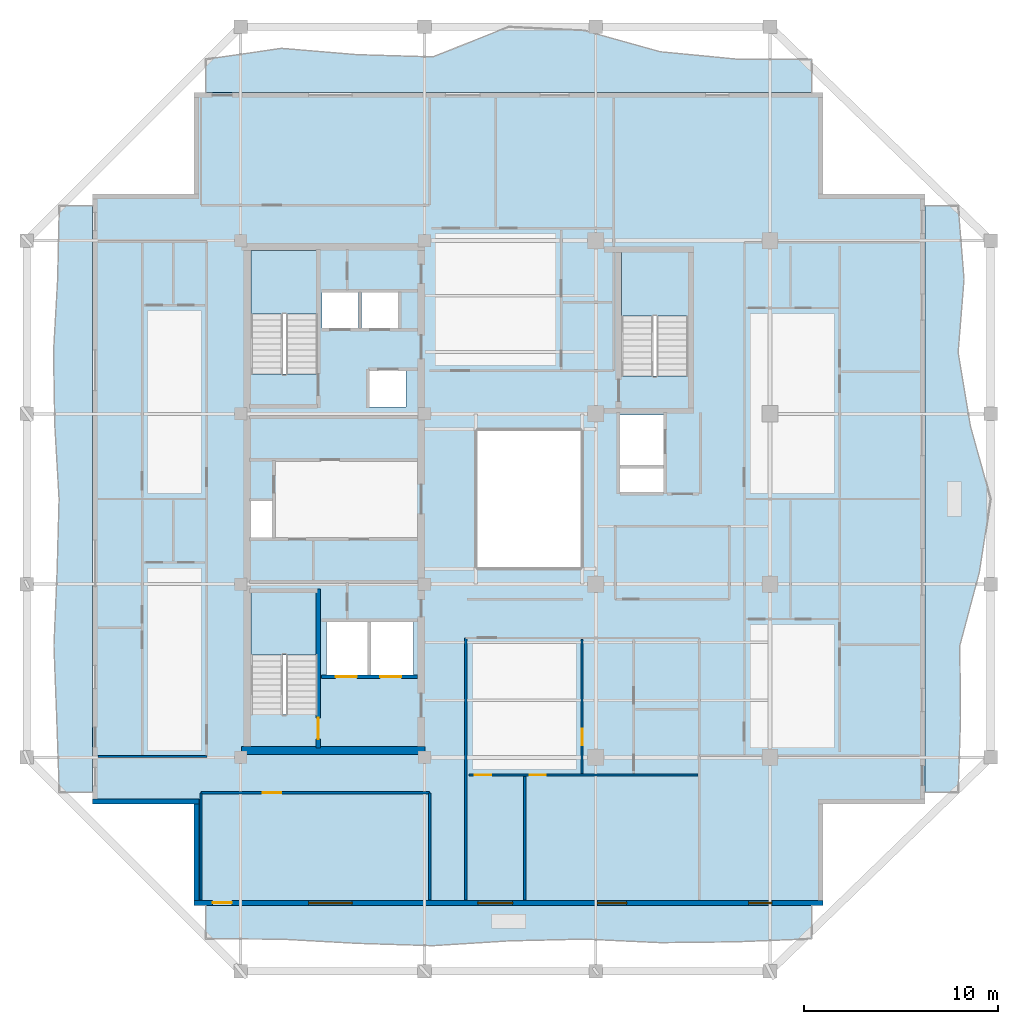
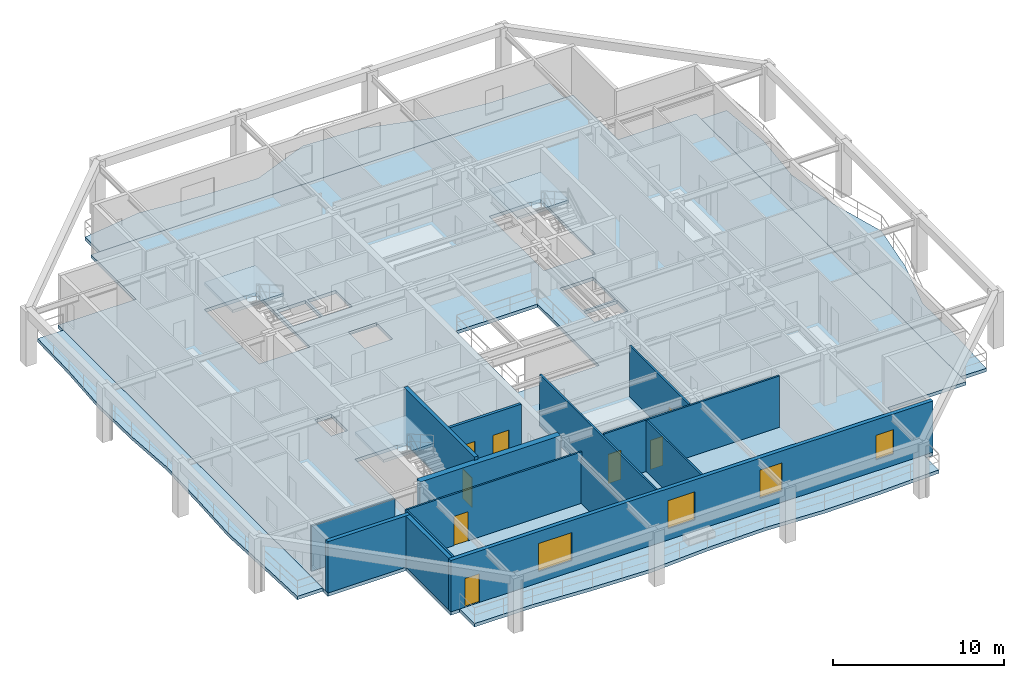
# One storey, part 2 of 11: 14 walls, 8 doors, 8 slabs, 4 windows, 12 openings, 3 elements without a shape of their own.
"""IFC4 building model written with IfcOpenShell, lengths in metres."""

from ifc_helpers import new_model, si_unit, direction, frame, frame_2d, origin, place, context, subcontext, project, spatial, polyline, rectangle, outline, extrude, material, layer, layer_set, type_object, element, fill, aggregate, save


model = new_model("IFC4")

# Units and contexts
model_context = context("Model", 3, precision=1e-05, world=origin(), true_north=direction((0.0, 1.0)))
body_context = subcontext(model_context, "Body", "Model", "MODEL_VIEW")
ifc_project = project(units=[si_unit("LENGTHUNIT", "METRE"), si_unit("AREAUNIT", "SQUARE_METRE"), si_unit("VOLUMEUNIT", "CUBIC_METRE"), si_unit("PLANEANGLEUNIT", "RADIAN"), si_unit("MASSUNIT", "GRAM", prefix="KILO")], contexts=[model_context])

# Site, building, storey
site_placement = place(None, origin())
site = spatial("IfcSite", under=ifc_project, at=site_placement, CompositionType="ELEMENT")
building_placement = place(site_placement, origin())
building = spatial("IfcBuilding", under=site, at=building_placement, Name="Kundavana Baori Tower", CompositionType="ELEMENT")
storey_placement = place(building_placement, frame((0.0, 0.0, 218.0)))
storey = spatial("IfcBuildingStorey", under=building, at=storey_placement, Name="L53", CompositionType="ELEMENT", Elevation=218.0)

# Slab
ifc_material_1 = material(Name="Concrete C40/50", Category="concrete")
ifc_layer_1 = layer(ifc_material_1, 0.239990234375, Name="SLB-FLR-240")
ifc_layer_set_1 = layer_set([ifc_layer_1], Name="Concrete C40/50")
slab_type_1 = type_object("IfcSlabType", Name="SLB-FLR-240", PredefinedType="FLOOR", material=ifc_layer_set_1)
slab_1_placement = place(storey_placement, frame((0.0, 0.0, -0.239990234375)))
element("IfcSlab", 1, at=slab_1_placement, inside=storey, type_object=slab_type_1, Name="L53 Structural Floor Slab", PredefinedType="FLOOR", context=body_context, shape_type="SweptSolid", body=[
    extrude(outline(polyline([(13.050048828125, 7.60009765625), (45.550048828125, 7.60009765625), (45.550048828125, 12.85009765625), (50.800048828125, 12.85009765625), (50.800048828125, 44.35009765625), (45.550048828125, 44.35009765625), (45.550048828125, 49.60009765625), (13.050048828125, 49.60009765625), (13.050048828125, 44.35009765625), (7.800048828125, 44.35009765625), (7.800048828125, 12.85009765625), (13.050048828125, 12.85009765625), (13.050048828125, 7.60009765625)]), holes=[polyline([(19.43994140625, 17.4619140625), (19.43994140625, 23.85009765625), (15.97998046875, 23.85009765625), (15.97998046875, 17.4619140625), (19.43994140625, 17.4619140625)]), polyline([(19.43994140625, 35.06201171875), (19.43994140625, 41.449951171875), (15.97998046875, 41.449951171875), (15.97998046875, 35.06201171875), (19.43994140625, 35.06201171875)]), polyline([(38.580078125, 34.9619140625), (38.580078125, 41.35009765625), (35.1201171875, 41.35009765625), (35.1201171875, 34.9619140625), (38.580078125, 34.9619140625)]), polyline([(19.64990234375, 37.39990234375), (21.550048828125, 37.39990234375), (21.550048828125, 39.300048828125), (19.64990234375, 39.300048828125), (19.64990234375, 37.39990234375)]), polyline([(21.699951171875, 37.39990234375), (23.60009765625, 37.39990234375), (23.60009765625, 39.300048828125), (21.699951171875, 39.300048828125), (21.699951171875, 37.39990234375)]), polyline([(22.10009765625, 33.35009765625), (24.0, 33.35009765625), (24.0, 35.25), (22.10009765625, 35.25), (22.10009765625, 33.35009765625)]), polyline([(19.8798828125, 19.5), (22.02001953125, 19.5), (22.02001953125, 22.25), (19.8798828125, 22.25), (19.8798828125, 19.5)]), polyline([(22.179931640625, 19.5), (24.3798828125, 19.5), (24.3798828125, 22.25), (22.179931640625, 22.25), (22.179931640625, 19.5)]), polyline([(35.050048828125, 30.35009765625), (37.300048828125, 30.35009765625), (37.300048828125, 32.949951171875), (35.050048828125, 32.949951171875), (35.050048828125, 30.35009765625)]), polyline([(15.949951171875, 26.60009765625), (17.080078125, 26.60009765625), (17.080078125, 28.5), (15.949951171875, 28.5), (15.949951171875, 26.60009765625)]), polyline([(35.050048828125, 28.949951171875), (37.300048828125, 28.949951171875), (37.300048828125, 30.199951171875), (35.050048828125, 30.199951171875), (35.050048828125, 28.949951171875)]), polyline([(27.60009765625, 25.0), (33.10009765625, 25.0), (33.10009765625, 32.199951171875), (27.60009765625, 32.199951171875), (27.60009765625, 25.0)])]), origin(), (0.0, 0.0, 1.0), 0.239990234375),
])

# Stair, slab
ifc_material_2 = material(Name="Concrete C40/50", Category="concrete")
stair_type = type_object("IfcStairType", Name="STR-DOG-1650", PredefinedType="HALF_TURN_STAIR", material=ifc_material_2)
stair_1_placement = place(storey_placement, origin())
stair_1 = element("IfcStair", 2, at=stair_1_placement, inside=storey, type_object=stair_type, Name="L53 Protected Exit Stair ST1", PredefinedType="HALF_TURN_STAIR")
ifc_material_3 = material(Name="Concrete C40/50", Category="concrete")
ifc_layer_2 = layer(ifc_material_3, 0.199951171875, Name="SLB-LND-200")
ifc_layer_set_2 = layer_set([ifc_layer_2], Name="Concrete C40/50")
slab_type_2 = type_object("IfcSlabType", Name="SLB-LND-200", PredefinedType="LANDING", material=ifc_layer_set_2)
slab_2_placement = place(storey_placement, frame((0.0, 0.0, 1.75)))
slab_2 = element("IfcSlab", 3, at=slab_2_placement, type_object=slab_type_2, Name="ST1 landing 1", PredefinedType="LANDING", context=body_context, shape_type="SweptSolid", body=[
    extrude(outline(polyline([(19.43994140625, 20.550048828125), (19.43994140625, 23.85009765625), (15.97998046875, 23.85009765625), (15.97998046875, 20.550048828125), (19.43994140625, 20.550048828125)])), origin(), (0.0, 0.0, 1.0), 0.199951171875),
])
aggregate(stair_1, [slab_2])

stair_2_placement = place(storey_placement, origin())
stair_2 = element("IfcStair", 4, at=stair_2_placement, inside=storey, type_object=stair_type, Name="L53 Protected Exit Stair ST2", PredefinedType="HALF_TURN_STAIR")
slab_3_placement = place(storey_placement, frame((0.0, 0.0, 1.75)))
slab_3 = element("IfcSlab", 5, at=slab_3_placement, type_object=slab_type_2, Name="ST2 landing 1", PredefinedType="LANDING", context=body_context, shape_type="SweptSolid", body=[
    extrude(outline(polyline([(19.43994140625, 38.14990234375), (19.43994140625, 41.449951171875), (15.97998046875, 41.449951171875), (15.97998046875, 38.14990234375), (19.43994140625, 38.14990234375)])), origin(), (0.0, 0.0, 1.0), 0.199951171875),
])
aggregate(stair_2, [slab_3])

stair_3_placement = place(storey_placement, origin())
stair_3 = element("IfcStair", 6, at=stair_3_placement, inside=storey, type_object=stair_type, Name="L53 Protected Exit Stair ST3", PredefinedType="HALF_TURN_STAIR")
slab_4_placement = place(storey_placement, frame((0.0, 0.0, 1.75)))
slab_4 = element("IfcSlab", 7, at=slab_4_placement, type_object=slab_type_2, Name="ST3 landing 1", PredefinedType="LANDING", context=body_context, shape_type="SweptSolid", body=[
    extrude(outline(polyline([(38.580078125, 38.050048828125), (38.580078125, 41.35009765625), (35.1201171875, 41.35009765625), (35.1201171875, 38.050048828125), (38.580078125, 38.050048828125)])), origin(), (0.0, 0.0, 1.0), 0.199951171875),
])
aggregate(stair_3, [slab_4])

# Slabs
ifc_material_4 = material(Name="Concrete C40/50", Category="concrete")
ifc_layer_3 = layer(ifc_material_4, 0.239990234375, Name="SLB-LOG-240")
ifc_layer_set_3 = layer_set([ifc_layer_3], Name="Concrete C40/50")
slab_type_3 = type_object("IfcSlabType", Name="SLB-LOG-240", PredefinedType="FLOOR", material=ifc_layer_set_3)
slab_5_placement = place(storey_placement, frame((0.0, 0.0, -0.239990234375)))
element("IfcSlab", 8, at=slab_5_placement, inside=storey, type_object=slab_type_3, Name="L53 Planted Loggia Balcony Slab S", PredefinedType="FLOOR", context=body_context, shape_type="SweptSolid", body=[
    extrude(outline(polyline([(13.64990234375, 7.60009765625), (44.949951171875, 7.60009765625), (44.949951171875, 5.8798828125), (41.0380859375, 5.721923828125), (37.125, 5.679931640625), (33.212890625, 5.863037109375), (29.300048828125, 5.77001953125), (25.387939453125, 5.52294921875), (21.47509765625, 5.64306640625), (17.56201171875, 5.860107421875), (13.64990234375, 5.8798828125), (13.64990234375, 7.60009765625)])), origin(), (0.0, 0.0, 1.0), 0.239990234375),
])
slab_6_placement = place(storey_placement, frame((0.0, 0.0, -0.239990234375)))
element("IfcSlab", 9, at=slab_6_placement, inside=storey, type_object=slab_type_3, Name="L53 Planted Loggia Balcony Slab E", PredefinedType="FLOOR", context=body_context, shape_type="SweptSolid", body=[
    extrude(outline(polyline([(50.800048828125, 13.449951171875), (50.800048828125, 43.75), (52.52001953125, 43.75), (52.824951171875, 39.9619140625), (52.52099609375, 36.175048828125), (53.152099609375, 32.387939453125), (54.199951171875, 28.60009765625), (53.616943359375, 24.81201171875), (52.60595703125, 21.02490234375), (52.64306640625, 17.238037109375), (52.52001953125, 13.449951171875), (50.800048828125, 13.449951171875)])), origin(), (0.0, 0.0, 1.0), 0.239990234375),
])
slab_7_placement = place(storey_placement, frame((0.0, 0.0, -0.239990234375)))
element("IfcSlab", 10, at=slab_7_placement, inside=storey, type_object=slab_type_3, Name="L53 Planted Loggia Balcony Slab N", PredefinedType="FLOOR", context=body_context, shape_type="SweptSolid", body=[
    extrude(outline(polyline([(44.949951171875, 49.60009765625), (13.64990234375, 49.60009765625), (13.64990234375, 51.320068359375), (17.56201171875, 51.884033203125), (21.47509765625, 51.55810546875), (25.387939453125, 51.443115234375), (29.300048828125, 53.0), (33.212890625, 52.802978515625), (37.125, 51.7080078125), (41.0380859375, 51.3330078125), (44.949951171875, 51.320068359375), (44.949951171875, 49.60009765625)])), origin(), (0.0, 0.0, 1.0), 0.239990234375),
])
slab_8_placement = place(storey_placement, frame((0.0, 0.0, -0.239990234375)))
element("IfcSlab", 11, at=slab_8_placement, inside=storey, type_object=slab_type_3, Name="L53 Planted Loggia Balcony Slab W", PredefinedType="FLOOR", context=body_context, shape_type="SweptSolid", body=[
    extrude(outline(polyline([(7.800048828125, 43.75), (7.800048828125, 13.449951171875), (6.080078125, 13.449951171875), (5.949951171875, 17.238037109375), (5.804931640625, 21.02490234375), (5.966064453125, 24.81201171875), (6.070068359375, 28.60009765625), (5.85009765625, 32.387939453125), (5.782958984375, 36.175048828125), (5.9951171875, 39.9619140625), (6.080078125, 43.75), (7.800048828125, 43.75)])), origin(), (0.0, 0.0, 1.0), 0.239990234375),
])

# Wall
ifc_material_5 = material(Name="Concrete C50/60", Category="concrete")
ifc_layer_4 = layer(ifc_material_5, 0.39990234375, Name="WL-CORE-400")
ifc_layer_set_4 = layer_set([ifc_layer_4], Name="Concrete C50/60")
wall_type_1 = type_object("IfcWallType", Name="WL-CORE-400", PredefinedType="SHEAR", material=ifc_layer_set_4)
wall_1_placement = place(storey_placement, frame((15.5, 15.610107421875, 0.0), z_axis=(0.0, 0.0, 1.0), x_axis=(1.0, 0.0, 0.0)))
element("IfcWall", 12, at=wall_1_placement, inside=storey, type_object=wall_type_1, Name="L53 Offset Core South Shear Wall", PredefinedType="SHEAR", context=body_context, shape_type="SweptSolid", body=[
    extrude(rectangle(XDim=9.47998046875, YDim=0.39990234375, at=frame_2d((4.739990234375, 0.0))), origin(), (0.0, 0.0, 1.0), 3.659912109375),
])

# Wall, opening, door
wall_2_placement = place(storey_placement, frame((19.4599609375, 15.739990234375, 0.0), z_axis=(0.0, 0.0, 1.0), x_axis=(0.0, 1.0, 0.0)))
wall_2 = element("IfcWall", 13, at=wall_2_placement, inside=storey, type_object=wall_type_1, Name="WL-L53-ST1-E", PredefinedType="SHEAR", context=body_context, shape_type="SweptSolid", body=[
    extrude(rectangle(XDim=8.199951171875, YDim=0.239990234375, at=frame_2d((4.10009765625, 0.0))), origin(), (0.0, 0.0, 1.0), 3.89990234375),
])
opening_1_placement = place(wall_2_placement, frame((0.449951171875, 0.0, 0.0)))
opening_1 = element("IfcOpeningElement", 14, at=opening_1_placement, cuts=wall_2, Name="Opening FD-110", PredefinedType="OPENING", context=body_context, shape_type="SweptSolid", body=[
    extrude(rectangle(XDim=1.10009765625, YDim=2.10009765625, at=frame_2d((0.550048828125, 1.050048828125))), frame((0.0, 0.1298828125, 0.0), z_axis=(0.0, -1.0, 0.0), x_axis=(1.0, 0.0, 0.0)), (0.0, 0.0, 1.0), 0.260009765625),
])
ifc_material_6 = material(Name="Galvanised Steel Fire-Rated Door Leaf", Category="steel")
door_type_1 = type_object("IfcDoorType", Name="DR-FD120-1100", OperationType="NOTDEFINED", PredefinedType="DOOR", material=ifc_material_6)
door_1_placement = place(opening_1_placement, origin())
door_1 = element("IfcDoor", 15, at=door_1_placement, inside=storey, type_object=door_type_1, Name="DR-L53-ST1", OperationType="SINGLE_SWING_LEFT", OverallHeight=2.10009765625, OverallWidth=1.10009765625, PredefinedType="DOOR", context=body_context, shape_type="SweptSolid", body=[
    extrude(rectangle(XDim=1.10009765625, YDim=2.10009765625, at=frame_2d((0.550048828125, 1.050048828125))), frame((0.0, 0.02490234375, 0.0), z_axis=(0.0, -1.0, 0.0), x_axis=(1.0, 0.0, 0.0)), (0.0, 0.0, 1.0), 0.050048828125),
])
fill(opening_1, door_1)

# Wall, openings, door, windows
ifc_material_7 = material(Name="Kiln-Fired Terracotta Brick-Slip Masonry on Concrete C40/50", Category="masonry")
ifc_layer_5 = layer(ifc_material_7, 0.260009765625, Name="WL-EXT-BRK-260")
ifc_layer_set_5 = layer_set([ifc_layer_5], Name="Kiln-Fired Terracotta Brick-Slip Masonry on Concrete C40/50")
wall_type_2 = type_object("IfcWallType", Name="WL-EXT-BRK-260", PredefinedType="SOLIDWALL", material=ifc_layer_set_5)
wall_3_placement = place(storey_placement, frame((13.050048828125, 7.72998046875, 0.0), z_axis=(0.0, 0.0, 1.0), x_axis=(1.0, 0.0, 0.0)))
wall_3 = element("IfcWall", 16, at=wall_3_placement, inside=storey, type_object=wall_type_2, Name="L53 Exterior Insulated Facade Wall 01", PredefinedType="SOLIDWALL", context=body_context, shape_type="SweptSolid", body=[
    extrude(rectangle(XDim=32.5, YDim=0.260009765625, at=frame_2d((16.25, 0.0))), origin(), (0.0, 0.0, 1.0), 3.659912109375),
])
opening_2_placement = place(wall_3_placement, frame((0.949951171875, 0.0, 0.0)))
opening_2 = element("IfcOpeningElement", 17, at=opening_2_placement, cuts=wall_3, Name="Opening BD-1", PredefinedType="OPENING", context=body_context, shape_type="SweptSolid", body=[
    extrude(rectangle(XDim=1.0, YDim=2.050048828125, at=frame_2d((0.5, 1.02490234375))), frame((0.0, 0.14013671875, 0.0), z_axis=(0.0, -1.0, 0.0), x_axis=(1.0, 0.0, 0.0)), (0.0, 0.0, 1.0), 0.280029296875),
])
opening_3_placement = place(wall_3_placement, frame((5.909912109375, 0.0, 0.800048828125)))
opening_3 = element("IfcOpeningElement", 18, at=opening_3_placement, cuts=wall_3, Name="Opening W-10", PredefinedType="OPENING", context=body_context, shape_type="SweptSolid", body=[
    extrude(rectangle(XDim=2.25, YDim=2.0, at=frame_2d((1.125, 1.0))), frame((0.0, 0.14013671875, 0.0), z_axis=(0.0, -1.0, 0.0), x_axis=(1.0, 0.0, 0.0)), (0.0, 0.0, 1.0), 0.280029296875),
])
opening_4_placement = place(wall_3_placement, frame((14.652099609375, 0.0, 0.800048828125)))
opening_4 = element("IfcOpeningElement", 19, at=opening_4_placement, cuts=wall_3, Name="Opening W-01", PredefinedType="OPENING", context=body_context, shape_type="SweptSolid", body=[
    extrude(rectangle(XDim=1.800048828125, YDim=2.0, at=frame_2d((0.89990234375, 1.0))), frame((0.0, 0.14013671875, 0.0), z_axis=(0.0, -1.0, 0.0), x_axis=(1.0, 0.0, 0.0)), (0.0, 0.0, 1.0), 0.280029296875),
])
opening_5_placement = place(wall_3_placement, frame((20.837890625, 0.0, 0.800048828125)))
opening_5 = element("IfcOpeningElement", 20, at=opening_5_placement, cuts=wall_3, Name="Opening W-02", PredefinedType="OPENING", context=body_context, shape_type="SweptSolid", body=[
    extrude(rectangle(XDim=1.5, YDim=2.0, at=frame_2d((0.75, 1.0))), frame((0.0, 0.14013671875, 0.0), z_axis=(0.0, -1.0, 0.0), x_axis=(1.0, 0.0, 0.0)), (0.0, 0.0, 1.0), 0.280029296875),
])
opening_6_placement = place(wall_3_placement, frame((28.64501953125, 0.0, 0.800048828125)))
opening_6 = element("IfcOpeningElement", 21, at=opening_6_placement, cuts=wall_3, Name="Opening W-03", PredefinedType="OPENING", context=body_context, shape_type="SweptSolid", body=[
    extrude(rectangle(XDim=1.199951171875, YDim=1.75, at=frame_2d((0.60009765625, 0.875))), frame((0.0, 0.14013671875, 0.0), z_axis=(0.0, -1.0, 0.0), x_axis=(1.0, 0.0, 0.0)), (0.0, 0.0, 1.0), 0.280029296875),
])
ifc_material_8 = material(Name="Architectural Patinated Bronze Metalwork")
door_type_2 = type_object("IfcDoorType", Name="DR-EXT-LOG-1000", OperationType="NOTDEFINED", PredefinedType="DOOR", material=ifc_material_8)
door_2_placement = place(opening_2_placement, frame((1.0, 0.0, 0.0), z_axis=(0.0, 0.0, 1.0), x_axis=(-1.0, 0.0, 0.0)))
door_2 = element("IfcDoor", 22, at=door_2_placement, inside=storey, type_object=door_type_2, Name="L53 Loggia Balcony Access Door S", OperationType="SINGLE_SWING_LEFT", OverallHeight=2.050048828125, OverallWidth=1.0, PredefinedType="DOOR", context=body_context, shape_type="SweptSolid", body=[
    extrude(rectangle(XDim=1.0, YDim=2.050048828125, at=frame_2d((0.5, 1.02490234375))), frame((0.0, 0.02490234375, 0.0), z_axis=(0.0, -1.0, 0.0), x_axis=(1.0, 0.0, 0.0)), (0.0, 0.0, 1.0), 0.050048828125),
])
fill(opening_2, door_2)
ifc_material_9 = material(Name="Double-Glazed Solar-Control Low-E Insulated Glass", Category="glass")
window_type_1 = type_object("IfcWindowType", Name="WIN-LOG-1200x1750", PartitioningType="SINGLE_PANEL", PredefinedType="WINDOW", material=ifc_material_9)
window_1_placement = place(opening_6_placement, origin())
window_1 = element("IfcWindow", 23, at=window_1_placement, inside=storey, type_object=window_type_1, Name="L53 Recessed Loggia Window S-4", OverallHeight=1.75, OverallWidth=1.199951171875, PartitioningType="SINGLE_PANEL", PredefinedType="WINDOW", context=body_context, shape_type="SweptSolid", body=[
    extrude(rectangle(XDim=1.199951171875, YDim=1.75, at=frame_2d((0.60009765625, 0.875))), frame((0.0, 0.030029296875, 0.0), z_axis=(0.0, -1.0, 0.0), x_axis=(1.0, 0.0, 0.0)), (0.0, 0.0, 1.0), 0.06005859375),
])
fill(opening_6, window_1)
ifc_material_10 = material(Name="Double-Glazed Solar-Control Low-E Insulated Glass", Category="glass")
window_type_2 = type_object("IfcWindowType", Name="WIN-LOG-1500x2000", PartitioningType="SINGLE_PANEL", PredefinedType="WINDOW", material=ifc_material_10)
window_2_placement = place(opening_5_placement, origin())
window_2 = element("IfcWindow", 24, at=window_2_placement, inside=storey, type_object=window_type_2, Name="L53 Recessed Loggia Window S-3", OverallHeight=2.0, OverallWidth=1.5, PartitioningType="SINGLE_PANEL", PredefinedType="WINDOW", context=body_context, shape_type="SweptSolid", body=[
    extrude(rectangle(XDim=1.5, YDim=2.0, at=frame_2d((0.75, 1.0))), frame((0.0, 0.030029296875, 0.0), z_axis=(0.0, -1.0, 0.0), x_axis=(1.0, 0.0, 0.0)), (0.0, 0.0, 1.0), 0.06005859375),
])
fill(opening_5, window_2)
ifc_material_11 = material(Name="Double-Glazed Solar-Control Low-E Insulated Glass", Category="glass")
window_type_3 = type_object("IfcWindowType", Name="WIN-LOG-1800x2000", PartitioningType="SINGLE_PANEL", PredefinedType="WINDOW", material=ifc_material_11)
window_3_placement = place(opening_4_placement, origin())
window_3 = element("IfcWindow", 25, at=window_3_placement, inside=storey, type_object=window_type_3, Name="L53 Recessed Loggia Window S-2", OverallHeight=2.0, OverallWidth=1.800048828125, PartitioningType="SINGLE_PANEL", PredefinedType="WINDOW", context=body_context, shape_type="SweptSolid", body=[
    extrude(rectangle(XDim=1.800048828125, YDim=2.0, at=frame_2d((0.89990234375, 1.0))), frame((0.0, 0.030029296875, 0.0), z_axis=(0.0, -1.0, 0.0), x_axis=(1.0, 0.0, 0.0)), (0.0, 0.0, 1.0), 0.06005859375),
])
fill(opening_4, window_3)
ifc_material_12 = material(Name="Double-Glazed Solar-Control Low-E Insulated Glass", Category="glass")
window_type_4 = type_object("IfcWindowType", Name="WIN-LOG-2250x2000", PartitioningType="SINGLE_PANEL", PredefinedType="WINDOW", material=ifc_material_12)
window_4_placement = place(opening_3_placement, origin())
window_4 = element("IfcWindow", 26, at=window_4_placement, inside=storey, type_object=window_type_4, Name="L53 Recessed Loggia Window S-1", OverallHeight=2.0, OverallWidth=2.25, PartitioningType="SINGLE_PANEL", PredefinedType="WINDOW", context=body_context, shape_type="SweptSolid", body=[
    extrude(rectangle(XDim=2.25, YDim=2.0, at=frame_2d((1.125, 1.0))), frame((0.0, 0.030029296875, 0.0), z_axis=(0.0, -1.0, 0.0), x_axis=(1.0, 0.0, 0.0)), (0.0, 0.0, 1.0), 0.06005859375),
])
fill(opening_3, window_4)

# Walls
wall_4_placement = place(storey_placement, frame((7.800048828125, 12.97998046875, 0.0), z_axis=(0.0, 0.0, 1.0), x_axis=(1.0, 0.0, 0.0)))
element("IfcWall", 27, at=wall_4_placement, inside=storey, type_object=wall_type_2, Name="L53 Exterior Insulated Facade Wall 11", PredefinedType="SOLIDWALL", context=body_context, shape_type="SweptSolid", body=[
    extrude(rectangle(XDim=5.510009765625, YDim=0.260009765625, at=frame_2d((2.7548828125, 0.0))), origin(), (0.0, 0.0, 1.0), 3.659912109375),
])
wall_5_placement = place(storey_placement, frame((13.179931640625, 12.85009765625, 0.0), z_axis=(0.0, 0.0, 1.0), x_axis=(0.0, -1.0, 0.0)))
element("IfcWall", 28, at=wall_5_placement, inside=storey, type_object=wall_type_2, Name="L53 Exterior Insulated Facade Wall 12", PredefinedType="SOLIDWALL", context=body_context, shape_type="SweptSolid", body=[
    extrude(rectangle(XDim=4.989990234375, YDim=0.260009765625, at=frame_2d((2.4951171875, 0.0))), origin(), (0.0, 0.0, 1.0), 3.659912109375),
])
ifc_material_13 = material(Name="Acoustic Gypsum Plasterboard on Galvanised Steel Studs", Category="steel")
ifc_layer_6 = layer(ifc_material_13, 0.1201171875, Name="WL-PART-120")
ifc_layer_set_6 = layer_set([ifc_layer_6], Name="Acoustic Gypsum Plasterboard on Galvanised Steel Studs")
wall_type_3 = type_object("IfcWallType", Name="WL-PART-120", PredefinedType="PARTITIONING", material=ifc_layer_set_6)
wall_6_placement = place(storey_placement, frame((27.080078125, 7.8798828125, 0.0), z_axis=(0.0, 0.0, 1.0), x_axis=(0.0, 1.0, 0.0)))
element("IfcWall", 29, at=wall_6_placement, inside=storey, type_object=wall_type_3, Name="WL-L53-RSW", PredefinedType="PARTITIONING", context=body_context, shape_type="SweptSolid", body=[
    extrude(rectangle(XDim=13.5400390625, YDim=0.1201171875, at=frame_2d((6.77001953125, 0.0))), origin(), (0.0, 0.0, 1.0), 3.659912109375),
])

# Wall, opening, door
wall_7_placement = place(storey_placement, frame((13.39990234375, 13.419921875, 0.0), z_axis=(0.0, 0.0, 1.0), x_axis=(1.0, 0.0, 0.0)))
wall_7 = element("IfcWall", 30, at=wall_7_placement, inside=storey, type_object=wall_type_3, Name="WL-L53-RSC", PredefinedType="PARTITIONING", context=body_context, shape_type="SweptSolid", body=[
    extrude(rectangle(XDim=11.820068359375, YDim=0.1201171875, at=frame_2d((5.91015625, 0.0))), origin(), (0.0, 0.0, 1.0), 3.659912109375),
])
opening_7_placement = place(wall_7_placement, frame((3.199951171875, 0.0, 0.0)))
opening_7 = element("IfcOpeningElement", 31, at=opening_7_placement, cuts=wall_7, Name="Opening ID-095", PredefinedType="OPENING", context=body_context, shape_type="SweptSolid", body=[
    extrude(rectangle(XDim=0.949951171875, YDim=2.080078125, at=frame_2d((0.47509765625, 1.0400390625))), frame((0.0, 0.070068359375, 0.0), z_axis=(0.0, -1.0, 0.0), x_axis=(1.0, 0.0, 0.0)), (0.0, 0.0, 1.0), 0.14013671875),
])
ifc_material_14 = material(Name="Engineered Teak Solid-Core Timber Veneer", Category="wood")
door_type_3 = type_object("IfcDoorType", Name="DR-INT-950", OperationType="NOTDEFINED", PredefinedType="DOOR", material=ifc_material_14)
door_3_placement = place(opening_7_placement, frame((0.949951171875, 0.0, 0.0), z_axis=(0.0, 0.0, 1.0), x_axis=(-1.0, 0.0, 0.0)))
door_3 = element("IfcDoor", 32, at=door_3_placement, inside=storey, type_object=door_type_3, Name="DR-L53-RMSW", OperationType="SINGLE_SWING_LEFT", OverallHeight=2.080078125, OverallWidth=0.949951171875, PredefinedType="DOOR", context=body_context, shape_type="SweptSolid", body=[
    extrude(rectangle(XDim=0.949951171875, YDim=2.080078125, at=frame_2d((0.47509765625, 1.0400390625))), frame((0.0, 0.02490234375, 0.0), z_axis=(0.0, -1.0, 0.0), x_axis=(1.0, 0.0, 0.0)), (0.0, 0.0, 1.0), 0.050048828125),
])
fill(opening_7, door_3)

# Walls
wall_8_placement = place(storey_placement, frame((13.39990234375, 7.8798828125, 0.0), z_axis=(0.0, 0.0, 1.0), x_axis=(0.0, 1.0, 0.0)))
element("IfcWall", 33, at=wall_8_placement, inside=storey, type_object=wall_type_3, Name="WL-L53-RSCW", PredefinedType="PARTITIONING", context=body_context, shape_type="SweptSolid", body=[
    extrude(rectangle(XDim=5.5400390625, YDim=0.1201171875, at=frame_2d((2.77001953125, 0.0))), origin(), (0.0, 0.0, 1.0), 3.659912109375),
])
wall_9_placement = place(storey_placement, frame((25.219970703125, 7.8798828125, 0.0), z_axis=(0.0, 0.0, 1.0), x_axis=(0.0, 1.0, 0.0)))
element("IfcWall", 34, at=wall_9_placement, inside=storey, type_object=wall_type_3, Name="WL-L53-RSCE", PredefinedType="PARTITIONING", context=body_context, shape_type="SweptSolid", body=[
    extrude(rectangle(XDim=5.5400390625, YDim=0.1201171875, at=frame_2d((2.77001953125, 0.0))), origin(), (0.0, 0.0, 1.0), 3.2099609375),
])
wall_10_placement = place(storey_placement, frame((8.080078125, 15.300048828125, 0.0), z_axis=(0.0, 0.0, 1.0), x_axis=(1.0, 0.0, 0.0)))
element("IfcWall", 35, at=wall_10_placement, inside=storey, type_object=wall_type_3, Name="WL-L53-RWS", PredefinedType="PARTITIONING", context=body_context, shape_type="SweptSolid", body=[
    extrude(rectangle(XDim=5.619873046875, YDim=0.1201171875, at=frame_2d((2.81005859375, 0.0))), origin(), (0.0, 0.0, 1.0), 3.2099609375),
])

# Wall, openings, doors
wall_11_placement = place(storey_placement, frame((27.239990234375, 14.341064453125, 0.0), z_axis=(0.0, 0.0, 1.0), x_axis=(1.0, 0.0, 0.0)))
wall_11 = element("IfcWall", 36, at=wall_11_placement, inside=storey, type_object=wall_type_3, Name="WL-L53-S1-HZ", PredefinedType="PARTITIONING", context=body_context, shape_type="SweptSolid", body=[
    extrude(rectangle(XDim=11.830078125, YDim=0.1201171875, at=frame_2d((5.9150390625, 0.0))), origin(), (0.0, 0.0, 1.0), 3.659912109375),
])
opening_8_placement = place(wall_11_placement, frame((0.300048828125, 0.0, 0.0)))
opening_8 = element("IfcOpeningElement", 37, at=opening_8_placement, cuts=wall_11, Name="Opening ID-085", PredefinedType="OPENING", context=body_context, shape_type="SweptSolid", body=[
    extrude(rectangle(XDim=0.85009765625, YDim=2.080078125, at=frame_2d((0.425048828125, 1.0400390625))), frame((0.0, 0.070068359375, 0.0), z_axis=(0.0, -1.0, 0.0), x_axis=(1.0, 0.0, 0.0)), (0.0, 0.0, 1.0), 0.14013671875),
])
opening_9_placement = place(wall_11_placement, frame((3.135009765625, 0.0, 0.0)))
opening_9 = element("IfcOpeningElement", 38, at=opening_9_placement, cuts=wall_11, Name="Opening ID-085", PredefinedType="OPENING", context=body_context, shape_type="SweptSolid", body=[
    extrude(rectangle(XDim=0.85009765625, YDim=2.080078125, at=frame_2d((0.425048828125, 1.0400390625))), frame((0.0, 0.070068359375, 0.0), z_axis=(0.0, -1.0, 0.0), x_axis=(1.0, 0.0, 0.0)), (0.0, 0.0, 1.0), 0.14013671875),
])
ifc_material_15 = material(Name="Engineered Teak Solid-Core Timber Veneer", Category="wood")
door_type_4 = type_object("IfcDoorType", Name="DR-INT-850", OperationType="NOTDEFINED", PredefinedType="DOOR", material=ifc_material_15)
door_4_placement = place(opening_8_placement, frame((0.85009765625, 0.0, 0.0), z_axis=(0.0, 0.0, 1.0), x_axis=(-1.0, 0.0, 0.0)))
door_4 = element("IfcDoor", 39, at=door_4_placement, inside=storey, type_object=door_type_4, Name="DR-L53-S1-B1", OperationType="SINGLE_SWING_LEFT", OverallHeight=2.080078125, OverallWidth=0.85009765625, PredefinedType="DOOR", context=body_context, shape_type="SweptSolid", body=[
    extrude(rectangle(XDim=0.85009765625, YDim=2.080078125, at=frame_2d((0.425048828125, 1.0400390625))), frame((0.0, 0.02490234375, 0.0), z_axis=(0.0, -1.0, 0.0), x_axis=(1.0, 0.0, 0.0)), (0.0, 0.0, 1.0), 0.050048828125),
])
fill(opening_8, door_4)
door_5_placement = place(opening_9_placement, frame((0.85009765625, 0.0, 0.0), z_axis=(0.0, 0.0, 1.0), x_axis=(-1.0, 0.0, 0.0)))
door_5 = element("IfcDoor", 40, at=door_5_placement, inside=storey, type_object=door_type_4, Name="DR-L53-S1-B2", OperationType="SINGLE_SWING_RIGHT", OverallHeight=2.080078125, OverallWidth=0.85009765625, PredefinedType="DOOR", context=body_context, shape_type="SweptSolid", body=[
    extrude(rectangle(XDim=0.85009765625, YDim=2.080078125, at=frame_2d((0.425048828125, 1.0400390625))), frame((0.0, 0.02490234375, 0.0), z_axis=(0.0, -1.0, 0.0), x_axis=(1.0, 0.0, 0.0)), (0.0, 0.0, 1.0), 0.050048828125),
])
fill(opening_9, door_5)

# Wall, opening, door
wall_12_placement = place(storey_placement, frame((33.090087890625, 14.4208984375, 0.0), z_axis=(0.0, 0.0, 1.0), x_axis=(0.0, 1.0, 0.0)))
wall_12 = element("IfcWall", 41, at=wall_12_placement, inside=storey, type_object=wall_type_3, Name="WL-L53-S1-STU", PredefinedType="PARTITIONING", context=body_context, shape_type="SweptSolid", body=[
    extrude(rectangle(XDim=6.919189453125, YDim=0.1201171875, at=frame_2d((3.45947265625, 0.0))), origin(), (0.0, 0.0, 1.0), 3.659912109375),
])
opening_10_placement = place(wall_12_placement, frame((1.449951171875, 0.0, 0.0)))
opening_10 = element("IfcOpeningElement", 42, at=opening_10_placement, cuts=wall_12, Name="Opening ID-085", PredefinedType="OPENING", context=body_context, shape_type="SweptSolid", body=[
    extrude(rectangle(XDim=0.85009765625, YDim=2.080078125, at=frame_2d((0.425048828125, 1.0400390625))), frame((0.0, 0.070068359375, 0.0), z_axis=(0.0, -1.0, 0.0), x_axis=(1.0, 0.0, 0.0)), (0.0, 0.0, 1.0), 0.14013671875),
])
door_6_placement = place(opening_10_placement, origin())
door_6 = element("IfcDoor", 43, at=door_6_placement, inside=storey, type_object=door_type_4, Name="DR-L53-S1-STD", OperationType="SINGLE_SWING_LEFT", OverallHeight=2.080078125, OverallWidth=0.85009765625, PredefinedType="DOOR", context=body_context, shape_type="SweptSolid", body=[
    extrude(rectangle(XDim=0.85009765625, YDim=2.080078125, at=frame_2d((0.425048828125, 1.0400390625))), frame((0.0, 0.02490234375, 0.0), z_axis=(0.0, -1.0, 0.0), x_axis=(1.0, 0.0, 0.0)), (0.0, 0.0, 1.0), 0.050048828125),
])
fill(opening_10, door_6)

# Wall
wall_13_placement = place(storey_placement, frame((30.125, 7.8798828125, 0.0), z_axis=(0.0, 0.0, 1.0), x_axis=(0.0, 1.0, 0.0)))
element("IfcWall", 44, at=wall_13_placement, inside=storey, type_object=wall_type_3, Name="WL-L53-S1-BDV", PredefinedType="PARTITIONING", context=body_context, shape_type="SweptSolid", body=[
    extrude(rectangle(XDim=6.381103515625, YDim=0.1201171875, at=frame_2d((3.1904296875, 0.0))), origin(), (0.0, 0.0, 1.0), 3.659912109375),
])

# Wall, openings, doors
ifc_material_16 = material(Name="Autoclaved Aerated Concrete Blockwork Masonry", Category="masonry")
ifc_layer_7 = layer(ifc_material_16, 0.179931640625, Name="WL-SHAFT-180")
ifc_layer_set_7 = layer_set([ifc_layer_7], Name="Autoclaved Aerated Concrete Blockwork Masonry")
wall_type_4 = type_object("IfcWallType", Name="WL-SHAFT-180", PredefinedType="SOLIDWALL", material=ifc_layer_set_7)
wall_14_placement = place(storey_placement, frame((19.639892578125, 19.419921875, 0.0), z_axis=(0.0, 0.0, 1.0), x_axis=(1.0, 0.0, 0.0)))
wall_14 = element("IfcWall", 45, at=wall_14_placement, inside=storey, type_object=wall_type_4, Name="WL-L53-FFL-S", PredefinedType="SOLIDWALL", context=body_context, shape_type="SweptSolid", body=[
    extrude(rectangle(XDim=4.940185546875, YDim=0.179931640625, at=frame_2d((2.47021484375, 0.0))), origin(), (0.0, 0.0, 1.0), 3.659912109375),
])
opening_11_placement = place(wall_14_placement, frame((0.719970703125, 0.0, 0.0)))
opening_11 = element("IfcOpeningElement", 46, at=opening_11_placement, cuts=wall_14, Name="Opening LD-110", PredefinedType="OPENING", context=body_context, shape_type="SweptSolid", body=[
    extrude(rectangle(XDim=1.10009765625, YDim=2.10009765625, at=frame_2d((0.550048828125, 1.050048828125))), frame((0.0, 0.10009765625, 0.0), z_axis=(0.0, -1.0, 0.0), x_axis=(1.0, 0.0, 0.0)), (0.0, 0.0, 1.0), 0.199951171875),
])
opening_12_placement = place(wall_14_placement, frame((3.02001953125, 0.0, 0.0)))
opening_12 = element("IfcOpeningElement", 47, at=opening_12_placement, cuts=wall_14, Name="Opening LD-110", PredefinedType="OPENING", context=body_context, shape_type="SweptSolid", body=[
    extrude(rectangle(XDim=1.10009765625, YDim=2.10009765625, at=frame_2d((0.550048828125, 1.050048828125))), frame((0.0, 0.10009765625, 0.0), z_axis=(0.0, -1.0, 0.0), x_axis=(1.0, 0.0, 0.0)), (0.0, 0.0, 1.0), 0.199951171875),
])
ifc_material_17 = material(Name="Galvanised Steel Fire-Rated Door Leaf", Category="steel")
door_type_5 = type_object("IfcDoorType", Name="DR-SLIDE-LD1100", OperationType="NOTDEFINED", PredefinedType="DOOR", material=ifc_material_17)
door_7_placement = place(opening_11_placement, origin())
door_7 = element("IfcDoor", 48, at=door_7_placement, inside=storey, type_object=door_type_5, Name="DR-L53-LD-FFL-1", OperationType="DOUBLE_DOOR_SLIDING", OverallHeight=2.10009765625, OverallWidth=1.10009765625, PredefinedType="DOOR", context=body_context, shape_type="SweptSolid", body=[
    extrude(rectangle(XDim=1.10009765625, YDim=2.10009765625, at=frame_2d((0.550048828125, 1.050048828125))), frame((0.0, 0.02490234375, 0.0), z_axis=(0.0, -1.0, 0.0), x_axis=(1.0, 0.0, 0.0)), (0.0, 0.0, 1.0), 0.050048828125),
])
fill(opening_11, door_7)
door_8_placement = place(opening_12_placement, origin())
door_8 = element("IfcDoor", 49, at=door_8_placement, inside=storey, type_object=door_type_5, Name="DR-L53-LD-FFL-2", OperationType="DOUBLE_DOOR_SLIDING", OverallHeight=2.10009765625, OverallWidth=1.10009765625, PredefinedType="DOOR", context=body_context, shape_type="SweptSolid", body=[
    extrude(rectangle(XDim=1.10009765625, YDim=2.10009765625, at=frame_2d((0.550048828125, 1.050048828125))), frame((0.0, 0.02490234375, 0.0), z_axis=(0.0, -1.0, 0.0), x_axis=(1.0, 0.0, 0.0)), (0.0, 0.0, 1.0), 0.050048828125),
])
fill(opening_12, door_8)

save(model, "model.ifc")
